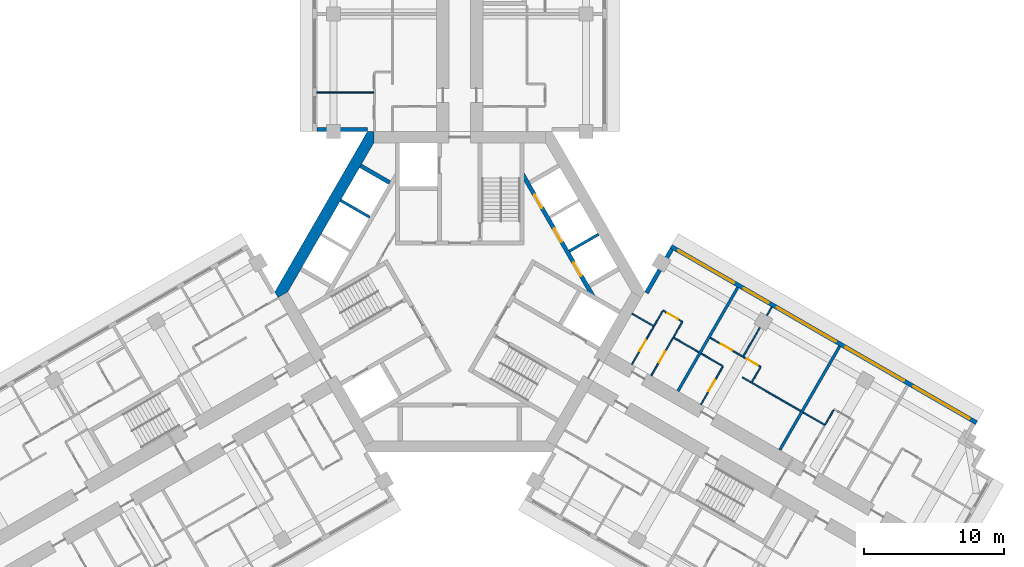
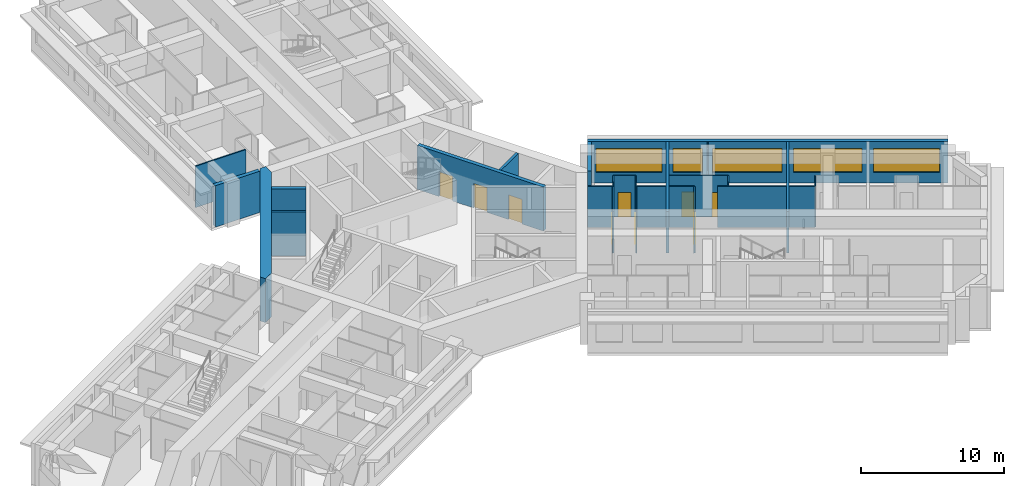
# One storey, part 7 of 12: 27 walls, 9 doors, 5 windows, 14 openings.
"""IFC4 building model written with IfcOpenShell, lengths in metres."""

from ifc_helpers import new_model, si_unit, direction, frame, frame_2d, origin, place, context, subcontext, project, spatial, polyline, rectangle, outline, extrude, material, layer, layer_set, type_object, element, fill, save


model = new_model("IFC4")

# Units and contexts
model_context = context("Model", 3, precision=1e-05, world=origin(), true_north=direction((0.0, 1.0)))
body_context = subcontext(model_context, "Body", "Model", "MODEL_VIEW")
ifc_project = project(units=[si_unit("LENGTHUNIT", "METRE"), si_unit("AREAUNIT", "SQUARE_METRE"), si_unit("VOLUMEUNIT", "CUBIC_METRE"), si_unit("PLANEANGLEUNIT", "RADIAN"), si_unit("MASSUNIT", "GRAM", prefix="KILO")], contexts=[model_context])

# Site, building, storey
site_placement = place(None, origin())
site = spatial("IfcSite", under=ifc_project, at=site_placement, CompositionType="ELEMENT")
building_placement = place(site_placement, origin())
building = spatial("IfcBuilding", under=site, at=building_placement, Name="Impinga Residences", CompositionType="ELEMENT")
storey_placement = place(building_placement, frame((0.0, 0.0, 162.25)))
storey = spatial("IfcBuildingStorey", under=building, at=storey_placement, Name="L40", CompositionType="ELEMENT", Elevation=162.25)

# Walls
ifc_material_1 = material(Name="Terracotta rainscreen on blockwork", Category="masonry")
ifc_layer_1 = layer(ifc_material_1, 0.300048828125)
ifc_layer_set_1 = layer_set([ifc_layer_1], Name="EW1 external wall, terracotta rainscreen on blockwork 300")
wall_type_1 = type_object("IfcWallType", Name="EW1 external wall, terracotta rainscreen on blockwork 300", PredefinedType="SOLIDWALL", material=ifc_layer_set_1)
wall_1_placement = place(storey_placement, frame((-6.60009765625, 11.58154296875, 0.0), z_axis=(0.0, 0.0, 1.0), x_axis=(-1.0, 0.0, 0.0)))
element("IfcWall", 1, at=wall_1_placement, inside=storey, type_object=wall_type_1, Name="External wall EW1 L40", PredefinedType="SOLIDWALL", context=body_context, shape_type="SweptSolid", body=[
    extrude(rectangle(XDim=3.599853515625, YDim=0.300048828125, at=frame_2d((1.7998046875, 0.0))), origin(), (0.0, 0.0, 1.0), 3.530029296875),
])
wall_2_placement = place(storey_placement, frame((13.329833984375, -0.074951171875, 0.0), z_axis=(0.0, 0.0, 1.0), x_axis=(0.500012057535, 0.866018442252, 0.0)))
element("IfcWall", 2, at=wall_2_placement, inside=storey, type_object=wall_type_1, Name="External wall EW1 L40", PredefinedType="SOLIDWALL", context=body_context, shape_type="SweptSolid", body=[
    extrude(rectangle(XDim=3.60009765625, YDim=0.300048828125, at=frame_2d((1.800048828125, 0.0))), origin(), (0.0, 0.0, 1.0), 3.530029296875),
])

# Wall, openings, windows
wall_3_placement = place(storey_placement, frame((15.074951171875, 3.24755859375, 0.0), z_axis=(0.0, 0.0, 1.0), x_axis=(0.86602925447, -0.499993330357, 0.0)))
wall_3 = element("IfcWall", 3, at=wall_3_placement, inside=storey, type_object=wall_type_1, Name="External wall EW1 L40", PredefinedType="SOLIDWALL", context=body_context, shape_type="SweptSolid", body=[
    extrude(rectangle(XDim=25.199951171875, YDim=0.300048828125, at=frame_2d((12.60009765625, 0.0))), origin(), (0.0, 0.0, 1.0), 3.530029296875),
])
opening_1_placement = place(wall_3_placement, frame((0.60009765625, 0.0, 0.89990234375)))
opening_1 = element("IfcOpeningElement", 4, at=opening_1_placement, cuts=wall_3, Name="Opening W3", PredefinedType="OPENING", context=body_context, shape_type="SweptSolid", body=[
    extrude(rectangle(XDim=4.60009765625, YDim=2.050048828125, at=frame_2d((2.300048828125, 1.02490234375))), frame((0.0, 0.159912109375, 0.0), z_axis=(0.0, -1.0, 0.0), x_axis=(1.0, 0.0, 0.0)), (0.0, 0.0, 1.0), 0.320068359375),
])
opening_2_placement = place(wall_3_placement, frame((6.0, 0.0, 0.89990234375)))
opening_2 = element("IfcOpeningElement", 5, at=opening_2_placement, cuts=wall_3, Name="Opening W14", PredefinedType="OPENING", context=body_context, shape_type="SweptSolid", body=[
    extrude(rectangle(XDim=2.050048828125, YDim=2.050048828125, at=frame_2d((1.02490234375, 1.02490234375))), frame((0.0, 0.159912109375, 0.0), z_axis=(0.0, -1.0, 0.0), x_axis=(1.0, 0.0, 0.0)), (0.0, 0.0, 1.0), 0.320068359375),
])
opening_3_placement = place(wall_3_placement, frame((8.75, 0.0, 0.89990234375)))
opening_3 = element("IfcOpeningElement", 6, at=opening_3_placement, cuts=wall_3, Name="Opening W6", PredefinedType="OPENING", context=body_context, shape_type="SweptSolid", body=[
    extrude(rectangle(XDim=4.85009765625, YDim=2.050048828125, at=frame_2d((2.425048828125, 1.02490234375))), frame((0.0, 0.159912109375, 0.0), z_axis=(0.0, -1.0, 0.0), x_axis=(1.0, 0.0, 0.0)), (0.0, 0.0, 1.0), 0.320068359375),
])
opening_4_placement = place(wall_3_placement, frame((14.39990234375, 0.0, 0.89990234375)))
opening_4 = element("IfcOpeningElement", 7, at=opening_4_placement, cuts=wall_3, Name="Opening W8", PredefinedType="OPENING", context=body_context, shape_type="SweptSolid", body=[
    extrude(rectangle(XDim=4.800048828125, YDim=2.050048828125, at=frame_2d((2.39990234375, 1.02490234375))), frame((0.0, 0.159912109375, 0.0), z_axis=(0.0, -1.0, 0.0), x_axis=(1.0, 0.0, 0.0)), (0.0, 0.0, 1.0), 0.320068359375),
])
opening_5_placement = place(wall_3_placement, frame((20.0, 0.0, 0.89990234375)))
opening_5 = element("IfcOpeningElement", 8, at=opening_5_placement, cuts=wall_3, Name="Opening W3", PredefinedType="OPENING", context=body_context, shape_type="SweptSolid", body=[
    extrude(rectangle(XDim=4.60009765625, YDim=2.050048828125, at=frame_2d((2.300048828125, 1.02490234375))), frame((0.0, 0.159912109375, 0.0), z_axis=(0.0, -1.0, 0.0), x_axis=(1.0, 0.0, 0.0)), (0.0, 0.0, 1.0), 0.320068359375),
])
ifc_material_2 = material(Name="Aluminium window, clear double glazing", Category="aluminium")
window_type_1 = type_object("IfcWindowType", Name="W14 ribbon window 2050x2050", PartitioningType="SINGLE_PANEL", PredefinedType="WINDOW", material=ifc_material_2)
window_1_placement = place(opening_2_placement, origin())
window_1 = element("IfcWindow", 9, at=window_1_placement, inside=storey, type_object=window_type_1, Name="Window L40", OverallHeight=2.050048828125, OverallWidth=2.050048828125, PartitioningType="SINGLE_PANEL", PredefinedType="WINDOW", context=body_context, shape_type="SweptSolid", body=[
    extrude(rectangle(XDim=2.050048828125, YDim=2.050048828125, at=frame_2d((1.02490234375, 1.02490234375))), frame((0.0, 0.030029296875, 0.0), z_axis=(0.0, -1.0, 0.0), x_axis=(1.0, 0.0, 0.0)), (0.0, 0.0, 1.0), 0.06005859375),
])
fill(opening_2, window_1)
window_type_2 = type_object("IfcWindowType", Name="W3 ribbon window 4600x2050", PartitioningType="SINGLE_PANEL", PredefinedType="WINDOW", material=ifc_material_2)
window_2_placement = place(opening_1_placement, origin())
window_2 = element("IfcWindow", 10, at=window_2_placement, inside=storey, type_object=window_type_2, Name="Window L40", OverallHeight=2.050048828125, OverallWidth=4.60009765625, PartitioningType="SINGLE_PANEL", PredefinedType="WINDOW", context=body_context, shape_type="SweptSolid", body=[
    extrude(rectangle(XDim=4.60009765625, YDim=2.050048828125, at=frame_2d((2.300048828125, 1.02490234375))), frame((0.0, 0.030029296875, 0.0), z_axis=(0.0, -1.0, 0.0), x_axis=(1.0, 0.0, 0.0)), (0.0, 0.0, 1.0), 0.06005859375),
])
fill(opening_1, window_2)
window_3_placement = place(opening_5_placement, origin())
window_3 = element("IfcWindow", 11, at=window_3_placement, inside=storey, type_object=window_type_2, Name="Window L40", OverallHeight=2.050048828125, OverallWidth=4.60009765625, PartitioningType="SINGLE_PANEL", PredefinedType="WINDOW", context=body_context, shape_type="SweptSolid", body=[
    extrude(rectangle(XDim=4.60009765625, YDim=2.050048828125, at=frame_2d((2.300048828125, 1.02490234375))), frame((0.0, 0.030029296875, 0.0), z_axis=(0.0, -1.0, 0.0), x_axis=(1.0, 0.0, 0.0)), (0.0, 0.0, 1.0), 0.06005859375),
])
fill(opening_5, window_3)
window_type_3 = type_object("IfcWindowType", Name="W6 ribbon window 4850x2050", PartitioningType="SINGLE_PANEL", PredefinedType="WINDOW", material=ifc_material_2)
window_4_placement = place(opening_3_placement, origin())
window_4 = element("IfcWindow", 12, at=window_4_placement, inside=storey, type_object=window_type_3, Name="Window L40", OverallHeight=2.050048828125, OverallWidth=4.85009765625, PartitioningType="SINGLE_PANEL", PredefinedType="WINDOW", context=body_context, shape_type="SweptSolid", body=[
    extrude(rectangle(XDim=4.85009765625, YDim=2.050048828125, at=frame_2d((2.425048828125, 1.02490234375))), frame((0.0, 0.030029296875, 0.0), z_axis=(0.0, -1.0, 0.0), x_axis=(1.0, 0.0, 0.0)), (0.0, 0.0, 1.0), 0.06005859375),
])
fill(opening_3, window_4)
window_type_4 = type_object("IfcWindowType", Name="W8 ribbon window 4800x2050", PartitioningType="SINGLE_PANEL", PredefinedType="WINDOW", material=ifc_material_2)
window_5_placement = place(opening_4_placement, origin())
window_5 = element("IfcWindow", 13, at=window_5_placement, inside=storey, type_object=window_type_4, Name="Window L40", OverallHeight=2.050048828125, OverallWidth=4.800048828125, PartitioningType="SINGLE_PANEL", PredefinedType="WINDOW", context=body_context, shape_type="SweptSolid", body=[
    extrude(rectangle(XDim=4.800048828125, YDim=2.050048828125, at=frame_2d((2.39990234375, 1.02490234375))), frame((0.0, 0.030029296875, 0.0), z_axis=(0.0, -1.0, 0.0), x_axis=(1.0, 0.0, 0.0)), (0.0, 0.0, 1.0), 0.06005859375),
])
fill(opening_4, window_5)

# Walls
ifc_material_3 = material(Name="Gypsum board on steel studs", Category="steel")
ifc_layer_2 = layer(ifc_material_3, 0.10009765625)
ifc_layer_set_2 = layer_set([ifc_layer_2], Name="Gypsum board on steel studs")
wall_type_2 = type_object("IfcWallType", Name="IP1 partition 100", PredefinedType="PARTITIONING", material=ifc_layer_set_2)
wall_4_placement = place(storey_placement, frame((-6.14990234375, 14.2314453125, 0.0), z_axis=(0.0, 0.0, 1.0), x_axis=(-1.0, 0.0, 0.0)))
element("IfcWall", 14, at=wall_4_placement, inside=storey, type_object=wall_type_2, Name="Partition L40-NA1:OB1", PredefinedType="PARTITIONING", context=body_context, shape_type="SweptSolid", body=[
    extrude(rectangle(XDim=4.050048828125, YDim=0.10009765625, at=frame_2d((2.02490234375, 0.0))), origin(), (0.0, 0.0, 1.0), 3.530029296875),
])
wall_5_placement = place(storey_placement, frame((12.300048828125, -1.558837890625, 0.0), z_axis=(0.0, 0.0, 1.0), x_axis=(0.866047807691, -0.499961193289, 0.0)))
element("IfcWall", 15, at=wall_5_placement, inside=storey, type_object=wall_type_2, Name="Partition L40-EA1:DIV0", PredefinedType="PARTITIONING", context=body_context, shape_type="SweptSolid", body=[
    extrude(rectangle(XDim=1.800048828125, YDim=0.10009765625, at=frame_2d((0.89990234375, 0.0))), origin(), (0.0, 0.0, 1.0), 3.530029296875),
])
wall_6_placement = place(storey_placement, frame((15.244384765625, -3.2587890625, 0.0), z_axis=(0.0, 0.0, 1.0), x_axis=(0.866038466041, -0.499977374825, 0.0)))
element("IfcWall", 16, at=wall_6_placement, inside=storey, type_object=wall_type_2, Name="Partition L40-EA1:DIV1", PredefinedType="PARTITIONING", context=body_context, shape_type="SweptSolid", body=[
    extrude(rectangle(XDim=2.10009765625, YDim=0.10009765625, at=frame_2d((1.050048828125, 0.0))), origin(), (0.0, 0.0, 1.0), 3.530029296875),
])

# Wall, opening, door
wall_7_placement = place(storey_placement, frame((14.5087890625, -1.3330078125, 0.0), z_axis=(0.0, 0.0, 1.0), x_axis=(0.866028054938, -0.499995408039, 0.0)))
wall_7 = element("IfcWall", 17, at=wall_7_placement, inside=storey, type_object=wall_type_2, Name="Partition L40-EA1:STRIP", PredefinedType="PARTITIONING", context=body_context, shape_type="SweptSolid", body=[
    extrude(rectangle(XDim=1.60009765625, YDim=0.10009765625, at=frame_2d((0.800048828125, 0.0))), origin(), (0.0, 0.0, 1.0), 3.530029296875),
])
opening_6_placement = place(wall_7_placement, frame((0.35009765625, 0.0, 0.0)))
opening_6 = element("IfcOpeningElement", 18, at=opening_6_placement, cuts=wall_7, Name="Opening D2", PredefinedType="OPENING", context=body_context, shape_type="SweptSolid", body=[
    extrude(rectangle(XDim=0.89990234375, YDim=2.10009765625, at=frame_2d((0.449951171875, 1.050048828125))), frame((0.0, 0.06005859375, 0.0), z_axis=(0.0, -1.0, 0.0), x_axis=(1.0, 0.0, 0.0)), (0.0, 0.0, 1.0), 0.1201171875),
])
ifc_material_4 = material(Name="Timber door set", Category="wood")
door_type_1 = type_object("IfcDoorType", Name="D2 internal door 900x2100", OperationType="SINGLE_SWING_LEFT", PredefinedType="DOOR", material=ifc_material_4)
door_1_placement = place(opening_6_placement, origin())
door_1 = element("IfcDoor", 19, at=door_1_placement, inside=storey, type_object=door_type_1, Name="Apartment L40-EA1 room door", OperationType="SINGLE_SWING_LEFT", OverallHeight=2.10009765625, OverallWidth=0.89990234375, PredefinedType="DOOR", context=body_context, shape_type="SweptSolid", body=[
    extrude(rectangle(XDim=0.89990234375, YDim=2.10009765625, at=frame_2d((0.449951171875, 1.050048828125))), frame((0.0, 0.02490234375, 0.0), z_axis=(0.0, -1.0, 0.0), x_axis=(1.0, 0.0, 0.0)), (0.0, 0.0, 1.0), 0.050048828125),
])
fill(opening_6, door_1)

# Walls
wall_8_placement = place(storey_placement, frame((13.8837890625, -2.41552734375, 0.0), z_axis=(0.0, 0.0, 1.0), x_axis=(0.500033551112, 0.866006032174, 0.0)))
element("IfcWall", 20, at=wall_8_placement, inside=storey, type_object=wall_type_2, Name="Partition L40-EA1:SE0", PredefinedType="PARTITIONING", context=body_context, shape_type="SweptSolid", body=[
    extrude(rectangle(XDim=1.2001953125, YDim=0.10009765625, at=frame_2d((0.60009765625, 0.0))), origin(), (0.0, 0.0, 1.0), 3.530029296875),
])
wall_9_placement = place(storey_placement, frame((15.26953125, -3.215576171875, 0.0), z_axis=(0.0, 0.0, 1.0), x_axis=(0.499880961361, 0.866094119867, 0.0)))
element("IfcWall", 21, at=wall_9_placement, inside=storey, type_object=wall_type_2, Name="Partition L40-EA1:SE1", PredefinedType="PARTITIONING", context=body_context, shape_type="SweptSolid", body=[
    extrude(rectangle(XDim=1.199951171875, YDim=0.10009765625, at=frame_2d((0.60009765625, 0.0))), origin(), (0.0, 0.0, 1.0), 3.530029296875),
])

# Wall, opening, door
wall_10_placement = place(storey_placement, frame((12.283935546875, -5.186767578125, 0.0), z_axis=(0.0, 0.0, 1.0), x_axis=(0.499967891604, 0.866043940782, 0.0)))
wall_10 = element("IfcWall", 22, at=wall_10_placement, inside=storey, type_object=wall_type_2, Name="Partition L40-EA1:IB1", PredefinedType="PARTITIONING", context=body_context, shape_type="SweptSolid", body=[
    extrude(rectangle(XDim=3.099853515625, YDim=0.10009765625, at=frame_2d((1.5498046875, 0.0))), origin(), (0.0, 0.0, 1.0), 3.530029296875),
])
opening_7_placement = place(wall_10_placement, frame((1.10009765625, 0.0, 0.0)))
opening_7 = element("IfcOpeningElement", 23, at=opening_7_placement, cuts=wall_10, Name="Opening D2", PredefinedType="OPENING", context=body_context, shape_type="SweptSolid", body=[
    extrude(rectangle(XDim=0.89990234375, YDim=2.10009765625, at=frame_2d((0.449951171875, 1.050048828125))), frame((0.0, 0.06005859375, 0.0), z_axis=(0.0, -1.0, 0.0), x_axis=(1.0, 0.0, 0.0)), (0.0, 0.0, 1.0), 0.1201171875),
])
door_2_placement = place(opening_7_placement, origin())
door_2 = element("IfcDoor", 24, at=door_2_placement, inside=storey, type_object=door_type_1, Name="Apartment L40-EA1 bathroom door", OperationType="SINGLE_SWING_LEFT", OverallHeight=2.10009765625, OverallWidth=0.89990234375, PredefinedType="DOOR", context=body_context, shape_type="SweptSolid", body=[
    extrude(rectangle(XDim=0.89990234375, YDim=2.10009765625, at=frame_2d((0.449951171875, 1.050048828125))), frame((0.0, 0.02490234375, 0.0), z_axis=(0.0, -1.0, 0.0), x_axis=(1.0, 0.0, 0.0)), (0.0, 0.0, 1.0), 0.050048828125),
])
fill(opening_7, door_2)

wall_11_placement = place(storey_placement, frame((13.66943359375, -5.98681640625, 0.0), z_axis=(0.0, 0.0, 1.0), x_axis=(0.500026960575, 0.86600983753, 0.0)))
wall_11 = element("IfcWall", 25, at=wall_11_placement, inside=storey, type_object=wall_type_2, Name="Partition L40-EA1:IB2", PredefinedType="PARTITIONING", context=body_context, shape_type="SweptSolid", body=[
    extrude(rectangle(XDim=3.099853515625, YDim=0.10009765625, at=frame_2d((1.5498046875, 0.0))), origin(), (0.0, 0.0, 1.0), 3.530029296875),
])
opening_8_placement = place(wall_11_placement, frame((1.10009765625, 0.0, 0.0)))
opening_8 = element("IfcOpeningElement", 26, at=opening_8_placement, cuts=wall_11, Name="Opening D2", PredefinedType="OPENING", context=body_context, shape_type="SweptSolid", body=[
    extrude(rectangle(XDim=0.89990234375, YDim=2.10009765625, at=frame_2d((0.449951171875, 1.050048828125))), frame((0.0, 0.06005859375, 0.0), z_axis=(0.0, -1.0, 0.0), x_axis=(1.0, 0.0, 0.0)), (0.0, 0.0, 1.0), 0.1201171875),
])
door_3_placement = place(opening_8_placement, origin())
door_3 = element("IfcDoor", 27, at=door_3_placement, inside=storey, type_object=door_type_1, Name="Apartment L40-EA1 WC door", OperationType="SINGLE_SWING_LEFT", OverallHeight=2.10009765625, OverallWidth=0.89990234375, PredefinedType="DOOR", context=body_context, shape_type="SweptSolid", body=[
    extrude(rectangle(XDim=0.89990234375, YDim=2.10009765625, at=frame_2d((0.449951171875, 1.050048828125))), frame((0.0, 0.02490234375, 0.0), z_axis=(0.0, -1.0, 0.0), x_axis=(1.0, 0.0, 0.0)), (0.0, 0.0, 1.0), 0.050048828125),
])
fill(opening_8, door_3)

# Walls
wall_12_placement = place(storey_placement, frame((17.236328125, -4.408935546875, 0.0), z_axis=(0.0, 0.0, 1.0), x_axis=(0.866047807691, -0.499961193289, 0.0)))
element("IfcWall", 28, at=wall_12_placement, inside=storey, type_object=wall_type_2, Name="Partition L40-EA2:DIV0", PredefinedType="PARTITIONING", context=body_context, shape_type="SweptSolid", body=[
    extrude(rectangle(XDim=1.800048828125, YDim=0.10009765625, at=frame_2d((0.89990234375, 0.0))), origin(), (0.0, 0.0, 1.0), 3.530029296875),
])
wall_13_placement = place(storey_placement, frame((20.180908203125, -6.10888671875, 0.0), z_axis=(0.0, 0.0, 1.0), x_axis=(0.866024647952, -0.500001309137, 0.0)))
element("IfcWall", 29, at=wall_13_placement, inside=storey, type_object=wall_type_2, Name="Partition L40-EA2:DIV1", PredefinedType="PARTITIONING", context=body_context, shape_type="SweptSolid", body=[
    extrude(rectangle(XDim=4.7998046875, YDim=0.10009765625, at=frame_2d((2.39990234375, 0.0))), origin(), (0.0, 0.0, 1.0), 3.530029296875),
])

# Wall, openings, doors
wall_14_placement = place(storey_placement, frame((17.88623046875, -3.282958984375, 0.0), z_axis=(0.0, 0.0, 1.0), x_axis=(0.866044524524, -0.499966880446, 0.0)))
wall_14 = element("IfcWall", 30, at=wall_14_placement, inside=storey, type_object=wall_type_2, Name="Partition L40-EA2:STRIP", PredefinedType="PARTITIONING", context=body_context, shape_type="SweptSolid", body=[
    extrude(rectangle(XDim=4.150146484375, YDim=0.10009765625, at=frame_2d((2.0751953125, 0.0))), origin(), (0.0, 0.0, 1.0), 3.530029296875),
])
opening_9_placement = place(wall_14_placement, frame((0.875, 0.0, 0.0)))
opening_9 = element("IfcOpeningElement", 31, at=opening_9_placement, cuts=wall_14, Name="Opening D2", PredefinedType="OPENING", context=body_context, shape_type="SweptSolid", body=[
    extrude(rectangle(XDim=0.89990234375, YDim=2.10009765625, at=frame_2d((0.449951171875, 1.050048828125))), frame((0.0, 0.06005859375, 0.0), z_axis=(0.0, -1.0, 0.0), x_axis=(1.0, 0.0, 0.0)), (0.0, 0.0, 1.0), 0.1201171875),
])
opening_10_placement = place(wall_14_placement, frame((3.0, 0.0, 0.0)))
opening_10 = element("IfcOpeningElement", 32, at=opening_10_placement, cuts=wall_14, Name="Opening D2", PredefinedType="OPENING", context=body_context, shape_type="SweptSolid", body=[
    extrude(rectangle(XDim=0.89990234375, YDim=2.10009765625, at=frame_2d((0.449951171875, 1.050048828125))), frame((0.0, 0.06005859375, 0.0), z_axis=(0.0, -1.0, 0.0), x_axis=(1.0, 0.0, 0.0)), (0.0, 0.0, 1.0), 0.1201171875),
])
door_4_placement = place(opening_9_placement, origin())
door_4 = element("IfcDoor", 33, at=door_4_placement, inside=storey, type_object=door_type_1, Name="Apartment L40-EA2 room door", OperationType="SINGLE_SWING_LEFT", OverallHeight=2.10009765625, OverallWidth=0.89990234375, PredefinedType="DOOR", context=body_context, shape_type="SweptSolid", body=[
    extrude(rectangle(XDim=0.89990234375, YDim=2.10009765625, at=frame_2d((0.449951171875, 1.050048828125))), frame((0.0, 0.02490234375, 0.0), z_axis=(0.0, -1.0, 0.0), x_axis=(1.0, 0.0, 0.0)), (0.0, 0.0, 1.0), 0.050048828125),
])
fill(opening_9, door_4)
door_5_placement = place(opening_10_placement, origin())
door_5 = element("IfcDoor", 34, at=door_5_placement, inside=storey, type_object=door_type_1, Name="Apartment L40-EA2 room door", OperationType="SINGLE_SWING_RIGHT", OverallHeight=2.10009765625, OverallWidth=0.89990234375, PredefinedType="DOOR", context=body_context, shape_type="SweptSolid", body=[
    extrude(rectangle(XDim=0.89990234375, YDim=2.10009765625, at=frame_2d((0.449951171875, 1.050048828125))), frame((0.0, 0.02490234375, 0.0), z_axis=(0.0, -1.0, 0.0), x_axis=(1.0, 0.0, 0.0)), (0.0, 0.0, 1.0), 0.050048828125),
])
fill(opening_10, door_5)

# Wall
wall_15_placement = place(storey_placement, frame((20.85546875, -6.4404296875, 0.0), z_axis=(0.0, 0.0, 1.0), x_axis=(0.499969057507, 0.866043267704, 0.0)))
element("IfcWall", 35, at=wall_15_placement, inside=storey, type_object=wall_type_2, Name="Partition L40-EA2:SE1", PredefinedType="PARTITIONING", context=body_context, shape_type="SweptSolid", body=[
    extrude(rectangle(XDim=1.19970703125, YDim=0.10009765625, at=frame_2d((0.599853515625, 0.0))), origin(), (0.0, 0.0, 1.0), 3.530029296875),
])

# Wall, opening, door
wall_16_placement = place(storey_placement, frame((17.22021484375, -8.036865234375, 0.0), z_axis=(0.0, 0.0, 1.0), x_axis=(0.49999285859, 0.86602952684, 0.0)))
wall_16 = element("IfcWall", 36, at=wall_16_placement, inside=storey, type_object=wall_type_2, Name="Partition L40-EA2:IB1", PredefinedType="PARTITIONING", context=body_context, shape_type="SweptSolid", body=[
    extrude(rectangle(XDim=3.10009765625, YDim=0.10009765625, at=frame_2d((1.550048828125, 0.0))), origin(), (0.0, 0.0, 1.0), 3.530029296875),
])
opening_11_placement = place(wall_16_placement, frame((1.10009765625, 0.0, 0.0)))
opening_11 = element("IfcOpeningElement", 37, at=opening_11_placement, cuts=wall_16, Name="Opening D2", PredefinedType="OPENING", context=body_context, shape_type="SweptSolid", body=[
    extrude(rectangle(XDim=0.89990234375, YDim=2.10009765625, at=frame_2d((0.449951171875, 1.050048828125))), frame((0.0, 0.06005859375, 0.0), z_axis=(0.0, -1.0, 0.0), x_axis=(1.0, 0.0, 0.0)), (0.0, 0.0, 1.0), 0.1201171875),
])
door_6_placement = place(opening_11_placement, origin())
door_6 = element("IfcDoor", 38, at=door_6_placement, inside=storey, type_object=door_type_1, Name="Apartment L40-EA2 bathroom door", OperationType="SINGLE_SWING_LEFT", OverallHeight=2.10009765625, OverallWidth=0.89990234375, PredefinedType="DOOR", context=body_context, shape_type="SweptSolid", body=[
    extrude(rectangle(XDim=0.89990234375, YDim=2.10009765625, at=frame_2d((0.449951171875, 1.050048828125))), frame((0.0, 0.02490234375, 0.0), z_axis=(0.0, -1.0, 0.0), x_axis=(1.0, 0.0, 0.0)), (0.0, 0.0, 1.0), 0.050048828125),
])
fill(opening_11, door_6)

# Walls
wall_17_placement = place(storey_placement, frame((20.24951171875, -4.589599609375, 0.0), z_axis=(0.0, 0.0, 1.0), x_axis=(0.500016218704, 0.866016039709, 0.0)))
element("IfcWall", 39, at=wall_17_placement, inside=storey, type_object=wall_type_2, Name="Partition L40-EA2:OB1", PredefinedType="PARTITIONING", context=body_context, shape_type="SweptSolid", body=[
    extrude(rectangle(XDim=2.35009765625, YDim=0.10009765625, at=frame_2d((1.175048828125, 0.0))), origin(), (0.0, 0.0, 1.0), 2.47998046875),
])
wall_18_placement = place(storey_placement, frame((21.924560546875, -1.6884765625, 0.0), z_axis=(0.0, 0.0, 1.0), x_axis=(0.500114896893, 0.865959057869, 0.0)))
element("IfcWall", 40, at=wall_18_placement, inside=storey, type_object=wall_type_2, Name="Partition L40-EA2:OB1b", PredefinedType="PARTITIONING", context=body_context, shape_type="SweptSolid", body=[
    extrude(rectangle(XDim=0.699951171875, YDim=0.10009765625, at=frame_2d((0.35009765625, 0.0))), origin(), (0.0, 0.0, 1.0), 3.530029296875),
])
wall_19_placement = place(storey_placement, frame((24.510986328125, -8.60888671875, 0.0), z_axis=(0.0, 0.0, 1.0), x_axis=(0.866047807691, -0.499961193289, 0.0)))
element("IfcWall", 41, at=wall_19_placement, inside=storey, type_object=wall_type_2, Name="Partition L40-EA3:DIV0", PredefinedType="PARTITIONING", context=body_context, shape_type="SweptSolid", body=[
    extrude(rectangle(XDim=1.800048828125, YDim=0.10009765625, at=frame_2d((0.89990234375, 0.0))), origin(), (0.0, 0.0, 1.0), 3.530029296875),
])
wall_20_placement = place(storey_placement, frame((26.0947265625, -9.465576171875, 0.0), z_axis=(0.0, 0.0, 1.0), x_axis=(0.500033551112, 0.866006032174, 0.0)))
element("IfcWall", 42, at=wall_20_placement, inside=storey, type_object=wall_type_2, Name="Partition L40-EA3:SE0", PredefinedType="PARTITIONING", context=body_context, shape_type="SweptSolid", body=[
    extrude(rectangle(XDim=1.2001953125, YDim=0.10009765625, at=frame_2d((0.60009765625, 0.0))), origin(), (0.0, 0.0, 1.0), 3.530029296875),
])
ifc_material_5 = material(Name="Concrete blockwork", Category="masonry")
ifc_layer_3 = layer(ifc_material_5, 0.199951171875)
ifc_layer_set_3 = layer_set([ifc_layer_3], Name="PW1 party wall between apartments 200")
wall_type_3 = type_object("IfcWallType", Name="PW1 party wall between apartments 200", PredefinedType="SOLIDWALL", material=ifc_layer_set_3)
for number, where, z_axis, x_axis, name in (
    (43, (15.57470703125, -7.0869140625, 0.0), (0.0, 0.0, 1.0), (0.500011643316, 0.866018681408, 0.0), "Party wall between apartments L40-EA1:PARTY"),
    (44, (22.849365234375, -11.286865234375, 0.0), (0.0, 0.0, 1.0), (0.499990227581, 0.86603104582, 0.0), "Party wall between apartments L40-EA2:PARTY"),
):
    element("IfcWall", number, at=place(storey_placement, frame(where, z_axis=z_axis, x_axis=x_axis)), inside=storey, type_object=wall_type_3, Name=name, PredefinedType="SOLIDWALL", context=body_context, shape_type="SweptSolid", body=[
        extrude(rectangle(XDim=8.550048828125, YDim=0.199951171875, at=frame_2d((4.27490234375, 0.0))), origin(), (0.0, 0.0, 1.0), 3.530029296875),
    ])
ifc_material_6 = material(Name="Concrete C60/75", Category="concrete")
ifc_layer_4 = layer(ifc_material_6, 0.800048828125)
ifc_layer_set_4 = layer_set([ifc_layer_4], Name="Concrete C60/75")
wall_type_4 = type_object("IfcWallType", Name="SW2 core wall 800", PredefinedType="SHEAR", material=ifc_layer_set_4)
wall_21_placement = place(storey_placement, origin())
element("IfcWall", 45, at=wall_21_placement, inside=storey, type_object=wall_type_4, Name="Core wall SW2 E:EXPOSED L40", PredefinedType="SHEAR", context=body_context, shape_type="SweptSolid", body=[
    extrude(outline(polyline([(-6.60009765625, 11.431640625), (-13.199951171875, 0.0), (-12.968994140625, -0.39990234375), (-12.276123046875, 0.0), (-6.13818359375, 10.631591796875), (-6.13818359375, 11.431640625), (-6.60009765625, 11.431640625)])), origin(), (0.0, 0.0, 1.0), 3.75),
])

# Wall, openings, doors
ifc_material_7 = material(Name="Concrete C70/85", Category="concrete")
ifc_layer_5 = layer(ifc_material_7, 0.300048828125)
ifc_layer_set_5 = layer_set([ifc_layer_5], Name="Concrete C70/85")
wall_type_5 = type_object("IfcWallType", Name="SW5 core inner wall, stairs, shafts and lobbies 300", PredefinedType="SHEAR", material=ifc_layer_set_5)
wall_22_placement = place(storey_placement, frame((4.449951171875, 8.455322265625, 0.0), z_axis=(0.0, 0.0, 1.0), x_axis=(0.500002290144, -0.866024081565, 0.0)))
wall_22 = element("IfcWall", 46, at=wall_22_placement, inside=storey, type_object=wall_type_5, Name="Core wall SW5 W:BANK-FRONT L40", PredefinedType="SHEAR", context=body_context, shape_type="SweptSolid", body=[
    extrude(rectangle(XDim=10.1953125, YDim=0.300048828125, at=frame_2d((5.09765625, 0.0))), origin(), (0.0, 0.0, 1.0), 3.75),
])
opening_12_placement = place(wall_22_placement, frame((1.74755859375, 0.0, 0.0)))
opening_12 = element("IfcOpeningElement", 47, at=opening_12_placement, cuts=wall_22, Name="Opening LD1", PredefinedType="OPENING", context=body_context, shape_type="SweptSolid", body=[
    extrude(rectangle(XDim=1.10009765625, YDim=2.10009765625, at=frame_2d((0.550048828125, 1.050048828125))), frame((0.0, 0.159912109375, 0.0), z_axis=(0.0, -1.0, 0.0), x_axis=(1.0, 0.0, 0.0)), (0.0, 0.0, 1.0), 0.320068359375),
])
opening_13_placement = place(wall_22_placement, frame((4.547607421875, 0.0, 0.0)))
opening_13 = element("IfcOpeningElement", 48, at=opening_13_placement, cuts=wall_22, Name="Opening LD1", PredefinedType="OPENING", context=body_context, shape_type="SweptSolid", body=[
    extrude(rectangle(XDim=1.10009765625, YDim=2.10009765625, at=frame_2d((0.550048828125, 1.050048828125))), frame((0.0, 0.159912109375, 0.0), z_axis=(0.0, -1.0, 0.0), x_axis=(1.0, 0.0, 0.0)), (0.0, 0.0, 1.0), 0.320068359375),
])
opening_14_placement = place(wall_22_placement, frame((7.34765625, 0.0, 0.0)))
opening_14 = element("IfcOpeningElement", 49, at=opening_14_placement, cuts=wall_22, Name="Opening LD1", PredefinedType="OPENING", context=body_context, shape_type="SweptSolid", body=[
    extrude(rectangle(XDim=1.10009765625, YDim=2.10009765625, at=frame_2d((0.550048828125, 1.050048828125))), frame((0.0, 0.159912109375, 0.0), z_axis=(0.0, -1.0, 0.0), x_axis=(1.0, 0.0, 0.0)), (0.0, 0.0, 1.0), 0.320068359375),
])
ifc_material_8 = material(Name="Steel lift landing door", Category="steel")
door_type_2 = type_object("IfcDoorType", Name="LD1 passenger lift landing door 1100x2100", OperationType="DOUBLE_DOOR_SLIDING", PredefinedType="DOOR", material=ifc_material_8)
door_7_placement = place(opening_12_placement, origin())
door_7 = element("IfcDoor", 50, at=door_7_placement, inside=storey, type_object=door_type_2, Name="Lift landing door P4", OperationType="DOUBLE_DOOR_SLIDING", OverallHeight=2.10009765625, OverallWidth=1.10009765625, PredefinedType="DOOR", context=body_context, shape_type="SweptSolid", body=[
    extrude(rectangle(XDim=1.10009765625, YDim=2.10009765625, at=frame_2d((0.550048828125, 1.050048828125))), frame((0.0, 0.02490234375, 0.0), z_axis=(0.0, -1.0, 0.0), x_axis=(1.0, 0.0, 0.0)), (0.0, 0.0, 1.0), 0.050048828125),
])
fill(opening_12, door_7)
door_8_placement = place(opening_13_placement, origin())
door_8 = element("IfcDoor", 51, at=door_8_placement, inside=storey, type_object=door_type_2, Name="Lift landing door P5", OperationType="DOUBLE_DOOR_SLIDING", OverallHeight=2.10009765625, OverallWidth=1.10009765625, PredefinedType="DOOR", context=body_context, shape_type="SweptSolid", body=[
    extrude(rectangle(XDim=1.10009765625, YDim=2.10009765625, at=frame_2d((0.550048828125, 1.050048828125))), frame((0.0, 0.02490234375, 0.0), z_axis=(0.0, -1.0, 0.0), x_axis=(1.0, 0.0, 0.0)), (0.0, 0.0, 1.0), 0.050048828125),
])
fill(opening_13, door_8)
door_9_placement = place(opening_14_placement, origin())
door_9 = element("IfcDoor", 52, at=door_9_placement, inside=storey, type_object=door_type_2, Name="Lift landing door P6", OperationType="DOUBLE_DOOR_SLIDING", OverallHeight=2.10009765625, OverallWidth=1.10009765625, PredefinedType="DOOR", context=body_context, shape_type="SweptSolid", body=[
    extrude(rectangle(XDim=1.10009765625, YDim=2.10009765625, at=frame_2d((0.550048828125, 1.050048828125))), frame((0.0, 0.02490234375, 0.0), z_axis=(0.0, -1.0, 0.0), x_axis=(1.0, 0.0, 0.0)), (0.0, 0.0, 1.0), 0.050048828125),
])
fill(opening_14, door_9)

# Walls
wall_23_placement = place(storey_placement, frame((-5.003662109375, 7.79638671875, 0.0), z_axis=(0.0, 0.0, 1.0), x_axis=(-0.866050077142, 0.499957262057, 0.0)))
element("IfcWall", 53, at=wall_23_placement, inside=storey, type_object=wall_type_5, Name="Core wall SW5 E:BANK-R L40", PredefinedType="SHEAR", context=body_context, shape_type="SweptSolid", body=[
    extrude(rectangle(XDim=2.400146484375, YDim=0.300048828125, at=frame_2d((1.2001953125, 0.0))), origin(), (0.0, 0.0, 1.0), 3.75),
])
ifc_layer_6 = layer(ifc_material_7, 0.199951171875)
ifc_layer_set_6 = layer_set([ifc_layer_6], Name="Concrete C70/85")
wall_type_6 = type_object("IfcWallType", Name="SW6 lift shaft divider wall 200", PredefinedType="SHEAR", material=ifc_layer_set_6)
wall_24_placement = place(storey_placement, frame((7.82861328125, 2.9033203125, 0.0), z_axis=(0.0, 0.0, 1.0), x_axis=(0.866050077142, 0.499957262057, 0.0)))
element("IfcWall", 54, at=wall_24_placement, inside=storey, type_object=wall_type_6, Name="Core wall SW6 W:BANK-D2 L40", PredefinedType="SHEAR", context=body_context, shape_type="SweptSolid", body=[
    extrude(rectangle(XDim=2.400146484375, YDim=0.199951171875, at=frame_2d((1.2001953125, 0.0))), origin(), (0.0, 0.0, 1.0), 3.75),
])
wall_25_placement = place(storey_placement, frame((-6.4287109375, 5.328125, 0.0), z_axis=(0.0, 0.0, 1.0), x_axis=(-0.865980596518, 0.500077600433, 0.0)))
element("IfcWall", 55, at=wall_25_placement, inside=storey, type_object=wall_type_6, Name="Core wall SW6 E:BANK-D2 L40", PredefinedType="SHEAR", context=body_context, shape_type="SweptSolid", body=[
    extrude(rectangle(XDim=2.39990234375, YDim=0.199951171875, at=frame_2d((1.199951171875, 0.0))), origin(), (0.0, 0.0, 1.0), 3.75),
])

save(model, "model.ifc")
